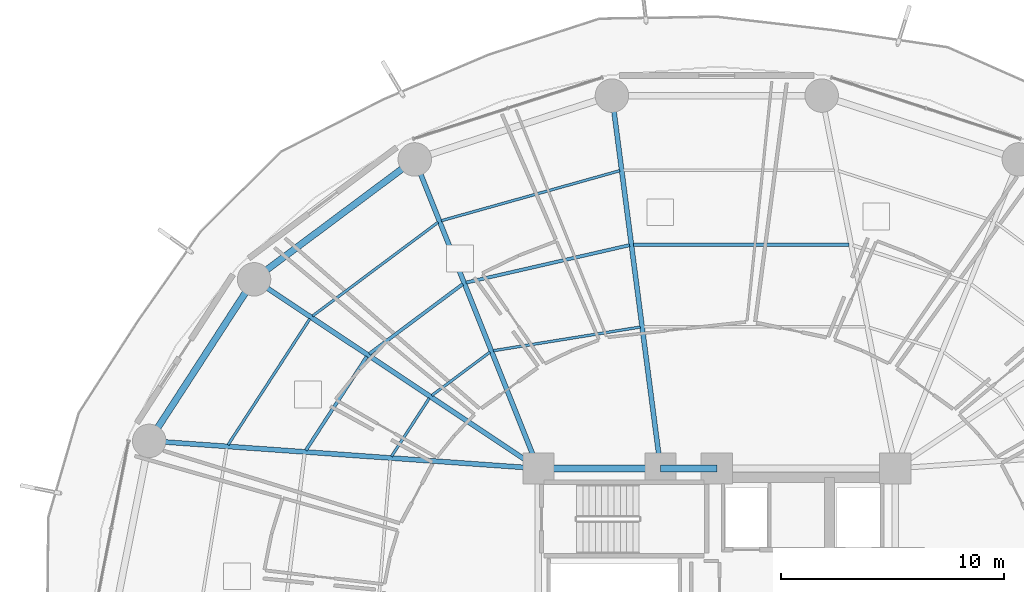
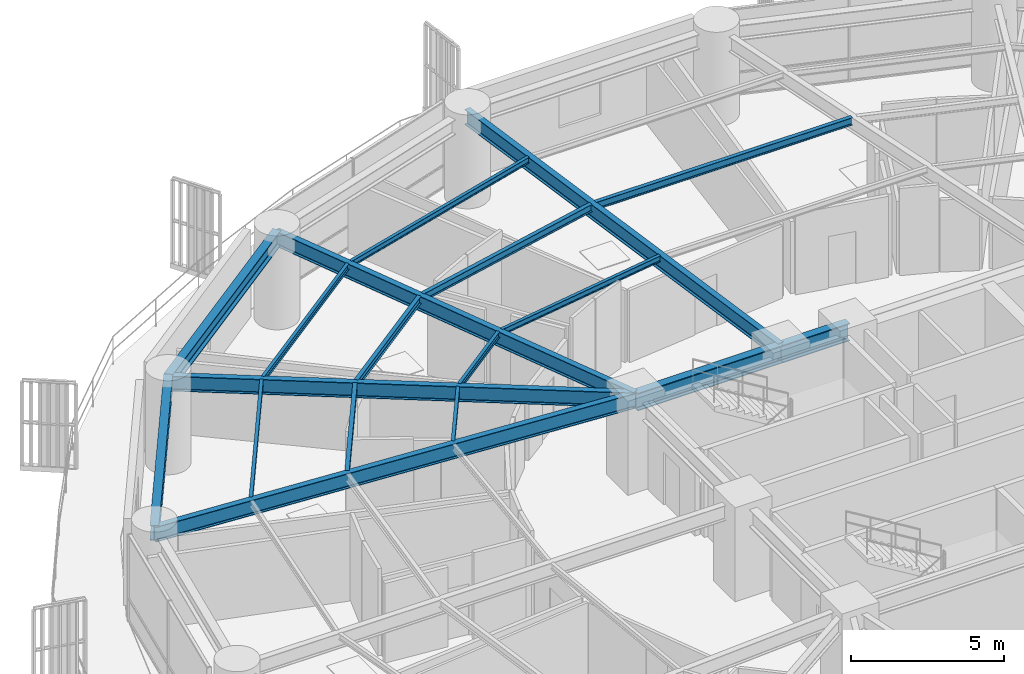
# One storey, part 15 of 32: 18 beams.
"""IFC4 building model written with IfcOpenShell, lengths in metres."""

from ifc_helpers import new_model, si_unit, direction, frame, origin, origin_2d, place, context, subcontext, project, spatial, i_section, extrude, material, material_profile, profile_set, type_object, element, save


model = new_model("IFC4")

# Units and contexts
model_context = context("Model", 3, precision=1e-05, world=origin(), true_north=direction((0.0, 1.0)))
body_context = subcontext(model_context, "Body", "Model", "MODEL_VIEW")
ifc_project = project(units=[si_unit("LENGTHUNIT", "METRE"), si_unit("AREAUNIT", "SQUARE_METRE"), si_unit("VOLUMEUNIT", "CUBIC_METRE"), si_unit("PLANEANGLEUNIT", "RADIAN"), si_unit("MASSUNIT", "GRAM", prefix="KILO")], contexts=[model_context])

# Site, building, storey
site_placement = place(None, origin())
site = spatial("IfcSite", under=ifc_project, at=site_placement, CompositionType="ELEMENT")
building_placement = place(site_placement, origin())
building = spatial("IfcBuilding", under=site, at=building_placement, Name="Kelanora Arch Commons", CompositionType="ELEMENT")
storey_placement = place(building_placement, frame((0.0, 0.0, 48.75)))
storey = spatial("IfcBuildingStorey", under=building, at=storey_placement, Name="L12", CompositionType="ELEMENT", Elevation=48.75)

# Beams
ifc_material = material(Name="Steel S355", Category="steel")
ifc_material_profile_1 = material_profile(ifc_material, i_section(OverallWidth=0.300048828125, OverallDepth=0.699951171875, WebThickness=0.01708984375, FlangeThickness=0.031982421875, FilletRadius=0.027099609375, at=origin_2d()), Name="HEB700")
ifc_profile_set_1 = profile_set([ifc_material_profile_1], Name="Steel S355")
beam_type_1 = type_object("IfcBeamType", Name="BM-CORE-HDR", PredefinedType="BEAM", material=ifc_profile_set_1)
beam_1_placement = place(storey_placement, frame((74.0, 65.0, 3.139892578125), z_axis=(-1.0, 0.0, 0.0), x_axis=(0.0, -1.0, 0.0)))
element("IfcBeam", 1, at=beam_1_placement, inside=storey, type_object=beam_type_1, Name="Core Header Beam 06 L12", PredefinedType="BEAM", context=body_context, shape_type="SweptSolid", body=[
    extrude(i_section(OverallWidth=0.300048828125, OverallDepth=0.699951171875, WebThickness=0.01708984375, FlangeThickness=0.031982421875, FilletRadius=0.027099609375, at=origin_2d()), origin(), (0.0, 0.0, 1.0), 2.52001953125),
])
beam_2_placement = place(storey_placement, frame((71.47998046875, 65.0, 3.139892578125), z_axis=(-1.0, 0.0, 0.0), x_axis=(0.0, -1.0, 0.0)))
element("IfcBeam", 2, at=beam_2_placement, inside=storey, type_object=beam_type_1, Name="Core Header Beam 07 L12", PredefinedType="BEAM", context=body_context, shape_type="SweptSolid", body=[
    extrude(i_section(OverallWidth=0.300048828125, OverallDepth=0.699951171875, WebThickness=0.01708984375, FlangeThickness=0.031982421875, FilletRadius=0.027099609375, at=origin_2d()), origin(), (0.0, 0.0, 1.0), 5.47998046875),
])
ifc_material_profile_2 = material_profile(ifc_material, i_section(OverallWidth=0.14990234375, OverallDepth=0.300048828125, WebThickness=0.007080078125, FlangeThickness=0.0107421875, FilletRadius=0.014892578125, at=origin_2d()), Name="IPE300")
ifc_profile_set_2 = profile_set([ifc_material_profile_2], Name="Steel S355")
beam_type_2 = type_object("IfcBeamType", Name="BM-JST-01", PredefinedType="JOIST", material=ifc_profile_set_2)
beam_3_placement = place(storey_placement, frame((79.936279296875, 75.028564453125, 3.340087890625), z_axis=(-1.0, 0.0, 0.0), x_axis=(0.0, -1.0, 0.0)))
element("IfcBeam", 3, at=beam_3_placement, inside=storey, type_object=beam_type_2, Name="Secondary Chord Joist BJB-08 L12", PredefinedType="JOIST", context=body_context, shape_type="SweptSolid", body=[
    extrude(i_section(OverallWidth=0.14990234375, OverallDepth=0.300048828125, WebThickness=0.007080078125, FlangeThickness=0.0107421875, FilletRadius=0.014892578125, at=origin_2d()), origin(), (0.0, 0.0, 1.0), 9.6806640625),
])
beam_4_placement = place(storey_placement, frame((70.087646484375, 75.009521484375, 3.340087890625), z_axis=(-0.974770159254, -0.223210968877, 0.0), x_axis=(0.223210968877, -0.974770159254, 0.0)))
element("IfcBeam", 4, at=beam_4_placement, inside=storey, type_object=beam_type_2, Name="Secondary Chord Joist BJB-10 L12", PredefinedType="JOIST", context=body_context, shape_type="SweptSolid", body=[
    extrude(i_section(OverallWidth=0.14990234375, OverallDepth=0.300048828125, WebThickness=0.007080078125, FlangeThickness=0.0107421875, FilletRadius=0.014892578125, at=origin_2d()), origin(), (0.0, 0.0, 1.0), 7.5185546875),
])
beam_5_placement = place(storey_placement, frame((62.60791015625, 73.261474609375, 3.340087890625), z_axis=(-0.801478251559, -0.598023922831, 0.0), x_axis=(0.598023922831, -0.801478251559, 0.0)))
element("IfcBeam", 5, at=beam_5_placement, inside=storey, type_object=beam_type_2, Name="Secondary Chord Joist BJB-12 L12", PredefinedType="JOIST", context=body_context, shape_type="SweptSolid", body=[
    extrude(i_section(OverallWidth=0.14990234375, OverallDepth=0.300048828125, WebThickness=0.007080078125, FlangeThickness=0.0107421875, FilletRadius=0.014892578125, at=origin_2d()), origin(), (0.0, 0.0, 1.0), 5.223388671875),
])
beam_6_placement = place(storey_placement, frame((58.306884765625, 70.015625, 3.340087890625), z_axis=(-0.544551588245, -0.838727350061, 0.0), x_axis=(0.838727350061, -0.544551588245, 0.0)))
element("IfcBeam", 6, at=beam_6_placement, inside=storey, type_object=beam_type_2, Name="Secondary Chord Joist BJB-14 L12", PredefinedType="JOIST", context=body_context, shape_type="SweptSolid", body=[
    extrude(i_section(OverallWidth=0.14990234375, OverallDepth=0.300048828125, WebThickness=0.007080078125, FlangeThickness=0.0107421875, FilletRadius=0.014892578125, at=origin_2d()), origin(), (0.0, 0.0, 1.0), 5.010986328125),
])
ifc_material_profile_3 = material_profile(ifc_material, i_section(OverallWidth=0.1201171875, OverallDepth=0.239990234375, WebThickness=0.006103515625, FlangeThickness=0.009765625, FilletRadius=0.014892578125, at=origin_2d()), Name="IPE240")
ifc_profile_set_3 = profile_set([ifc_material_profile_3], Name="Steel S355")
beam_type_3 = type_object("IfcBeamType", Name="BM-JST-02", PredefinedType="JOIST", material=ifc_profile_set_3)
beam_7_placement = place(storey_placement, frame((70.56689453125, 71.337890625, 3.3701171875), z_axis=(-0.987306715654, -0.158825215959, 0.0), x_axis=(0.158825215959, -0.987306715654, 0.0)))
element("IfcBeam", 7, at=beam_7_placement, inside=storey, type_object=beam_type_3, Name="Secondary Chord Joist BJA-10 L12", PredefinedType="JOIST", context=body_context, shape_type="SweptSolid", body=[
    extrude(i_section(OverallWidth=0.1201171875, OverallDepth=0.239990234375, WebThickness=0.006103515625, FlangeThickness=0.009765625, FilletRadius=0.014892578125, at=origin_2d()), origin(), (0.0, 0.0, 1.0), 6.6728515625),
])
beam_8_placement = place(storey_placement, frame((69.652099609375, 78.348388671875, 3.3701171875), z_axis=(-0.962914880978, -0.269805359456, 0.0), x_axis=(0.269805359456, -0.962914880978, 0.0)))
element("IfcBeam", 8, at=beam_8_placement, inside=storey, type_object=beam_type_3, Name="Secondary Chord Joist BJC-10 L12", PredefinedType="JOIST", context=body_context, shape_type="SweptSolid", body=[
    extrude(i_section(OverallWidth=0.1201171875, OverallDepth=0.239990234375, WebThickness=0.006103515625, FlangeThickness=0.009765625, FilletRadius=0.014892578125, at=origin_2d()), origin(), (0.0, 0.0, 1.0), 8.310302734375),
])
beam_9_placement = place(storey_placement, frame((63.82666015625, 70.213623046875, 3.3701171875), z_axis=(-0.801513822608, -0.59797624716, 0.0), x_axis=(0.59797624716, -0.801513822608, 0.0)))
element("IfcBeam", 9, at=beam_9_placement, inside=storey, type_object=beam_type_3, Name="Secondary Chord Joist BJA-12 L12", PredefinedType="JOIST", context=body_context, shape_type="SweptSolid", body=[
    extrude(i_section(OverallWidth=0.1201171875, OverallDepth=0.239990234375, WebThickness=0.006103515625, FlangeThickness=0.009765625, FilletRadius=0.014892578125, at=origin_2d()), origin(), (0.0, 0.0, 1.0), 3.245849609375),
])
beam_10_placement = place(storey_placement, frame((61.5, 76.0322265625, 3.3701171875), z_axis=(-0.80149131963, -0.598006408459, 0.0), x_axis=(0.598006408459, -0.80149131963, 0.0)))
element("IfcBeam", 10, at=beam_10_placement, inside=storey, type_object=beam_type_3, Name="Secondary Chord Joist BJC-12 L12", PredefinedType="JOIST", context=body_context, shape_type="SweptSolid", body=[
    extrude(i_section(OverallWidth=0.1201171875, OverallDepth=0.239990234375, WebThickness=0.006103515625, FlangeThickness=0.009765625, FilletRadius=0.014892578125, at=origin_2d()), origin(), (0.0, 0.0, 1.0), 7.021240234375),
])
beam_11_placement = place(storey_placement, frame((61.11083984375, 68.150390625, 3.3701171875), z_axis=(-0.544591105858, -0.838701691557, 0.0), x_axis=(0.838701691557, -0.544591105858, 0.0)))
element("IfcBeam", 11, at=beam_11_placement, inside=storey, type_object=beam_type_3, Name="Secondary Chord Joist BJA-14 L12", PredefinedType="JOIST", context=body_context, shape_type="SweptSolid", body=[
    extrude(i_section(OverallWidth=0.1201171875, OverallDepth=0.239990234375, WebThickness=0.006103515625, FlangeThickness=0.009765625, FilletRadius=0.014892578125, at=origin_2d()), origin(), (0.0, 0.0, 1.0), 3.111328125),
])
beam_12_placement = place(storey_placement, frame((55.758056640625, 71.711181640625, 3.3701171875), z_axis=(-0.544550165372, -0.838728273873, 0.0), x_axis=(0.838728273873, -0.544550165372, 0.0)))
element("IfcBeam", 12, at=beam_12_placement, inside=storey, type_object=beam_type_3, Name="Secondary Chord Joist BJC-14 L12", PredefinedType="JOIST", context=body_context, shape_type="SweptSolid", body=[
    extrude(i_section(OverallWidth=0.1201171875, OverallDepth=0.239990234375, WebThickness=0.006103515625, FlangeThickness=0.009765625, FilletRadius=0.014892578125, at=origin_2d()), origin(), (0.0, 0.0, 1.0), 6.738037109375),
])
ifc_material_profile_4 = material_profile(ifc_material, i_section(OverallWidth=0.219970703125, OverallDepth=0.60009765625, WebThickness=0.011962890625, FlangeThickness=0.01904296875, FilletRadius=0.02392578125, at=origin_2d()), Name="IPE600")
ifc_profile_set_4 = profile_set([ifc_material_profile_4], Name="Steel S355")
beam_type_4 = type_object("IfcBeamType", Name="BM-RAD-Z1", PredefinedType="BEAM", material=ifc_profile_set_4)
beam_13_placement = place(storey_placement, frame((71.47998046875, 65.0, 3.18994140625), z_axis=(-0.129471691865, 0.991583118556, 0.0), x_axis=(-0.991583118556, -0.129471691865, 0.0)))
element("IfcBeam", 13, at=beam_13_placement, inside=storey, type_object=beam_type_4, Name="Radial Floor Girder BR-10 L12", PredefinedType="BEAM", context=body_context, shape_type="SweptSolid", body=[
    extrude(i_section(OverallWidth=0.219970703125, OverallDepth=0.60009765625, WebThickness=0.011962890625, FlangeThickness=0.01904296875, FilletRadius=0.02392578125, at=origin_2d()), origin(), (0.0, 0.0, 1.0), 16.85595703125),
])
beam_14_placement = place(storey_placement, frame((66.0, 65.0, 3.18994140625), z_axis=(-0.371300398117, 0.928512797089, 0.0), x_axis=(-0.928512797089, -0.371300398117, 0.0)))
element("IfcBeam", 14, at=beam_14_placement, inside=storey, type_object=beam_type_4, Name="Radial Floor Girder BR-12 L12", PredefinedType="BEAM", context=body_context, shape_type="SweptSolid", body=[
    extrude(i_section(OverallWidth=0.219970703125, OverallDepth=0.60009765625, WebThickness=0.011962890625, FlangeThickness=0.01904296875, FilletRadius=0.02392578125, at=origin_2d()), origin(), (0.0, 0.0, 1.0), 14.920654296875),
])
beam_15_placement = place(storey_placement, frame((66.0, 65.0, 3.18994140625), z_axis=(-0.832592187754, 0.553886494591, 0.0), x_axis=(-0.553886494591, -0.832592187754, 0.0)))
element("IfcBeam", 15, at=beam_15_placement, inside=storey, type_object=beam_type_4, Name="Radial Floor Girder BR-14 L12", PredefinedType="BEAM", context=body_context, shape_type="SweptSolid", body=[
    extrude(i_section(OverallWidth=0.219970703125, OverallDepth=0.60009765625, WebThickness=0.011962890625, FlangeThickness=0.01904296875, FilletRadius=0.02392578125, at=origin_2d()), origin(), (0.0, 0.0, 1.0), 15.306884765625),
])
beam_16_placement = place(storey_placement, frame((66.0, 65.0, 3.18994140625), z_axis=(-0.997500683472, 0.070656821848, 0.0), x_axis=(-0.070656821848, -0.997500683472, 0.0)))
element("IfcBeam", 16, at=beam_16_placement, inside=storey, type_object=beam_type_4, Name="Radial Floor Girder BR-16 L12", PredefinedType="BEAM", context=body_context, shape_type="SweptSolid", body=[
    extrude(i_section(OverallWidth=0.219970703125, OverallDepth=0.60009765625, WebThickness=0.011962890625, FlangeThickness=0.01904296875, FilletRadius=0.02392578125, at=origin_2d()), origin(), (0.0, 0.0, 1.0), 17.49072265625),
])
ifc_material_profile_5 = material_profile(ifc_material, i_section(OverallWidth=0.300048828125, OverallDepth=0.60009765625, WebThickness=0.015380859375, FlangeThickness=0.030029296875, FilletRadius=0.027099609375, at=origin_2d()), Name="HEB600")
ifc_profile_set_5 = profile_set([ifc_material_profile_5], Name="Steel S355")
beam_type_5 = type_object("IfcBeamType", Name="BM-SPN-Z1", PredefinedType="SPANDREL", material=ifc_profile_set_5)
beam_17_placement = place(storey_placement, frame((60.4599609375, 78.85400390625, 3.18994140625), z_axis=(-0.801467504127, -0.598038326388, 0.0), x_axis=(0.598038326388, -0.801467504127, 0.0)))
element("IfcBeam", 17, at=beam_17_placement, inside=storey, type_object=beam_type_5, Name="Perimeter Spandrel Beam BS-12 L12", PredefinedType="SPANDREL", context=body_context, shape_type="SweptSolid", body=[
    extrude(i_section(OverallWidth=0.300048828125, OverallDepth=0.60009765625, WebThickness=0.015380859375, FlangeThickness=0.030029296875, FilletRadius=0.027099609375, at=origin_2d()), origin(), (0.0, 0.0, 1.0), 8.989013671875),
])
beam_18_placement = place(storey_placement, frame((53.255615234375, 73.478271484375, 3.18994140625), z_axis=(-0.544585813928, -0.838705127722, 0.0), x_axis=(0.838705127722, -0.544585813928, 0.0)))
element("IfcBeam", 18, at=beam_18_placement, inside=storey, type_object=beam_type_5, Name="Perimeter Spandrel Beam BS-14 L12", PredefinedType="SPANDREL", context=body_context, shape_type="SweptSolid", body=[
    extrude(i_section(OverallWidth=0.300048828125, OverallDepth=0.60009765625, WebThickness=0.015380859375, FlangeThickness=0.030029296875, FilletRadius=0.027099609375, at=origin_2d()), origin(), (0.0, 0.0, 1.0), 8.63525390625),
])

save(model, "model.ifc")
